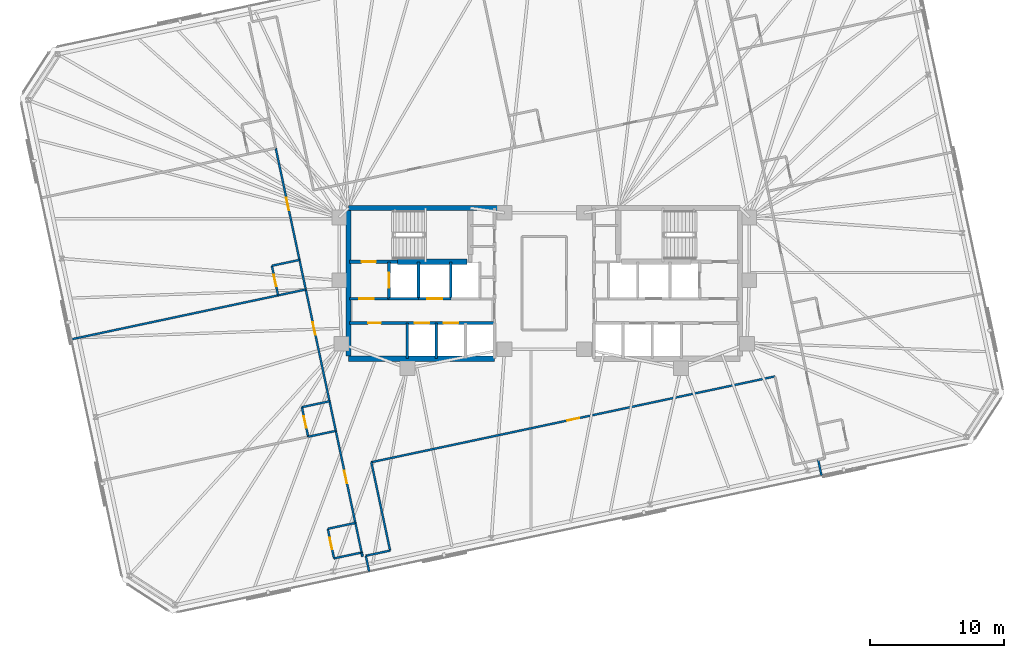
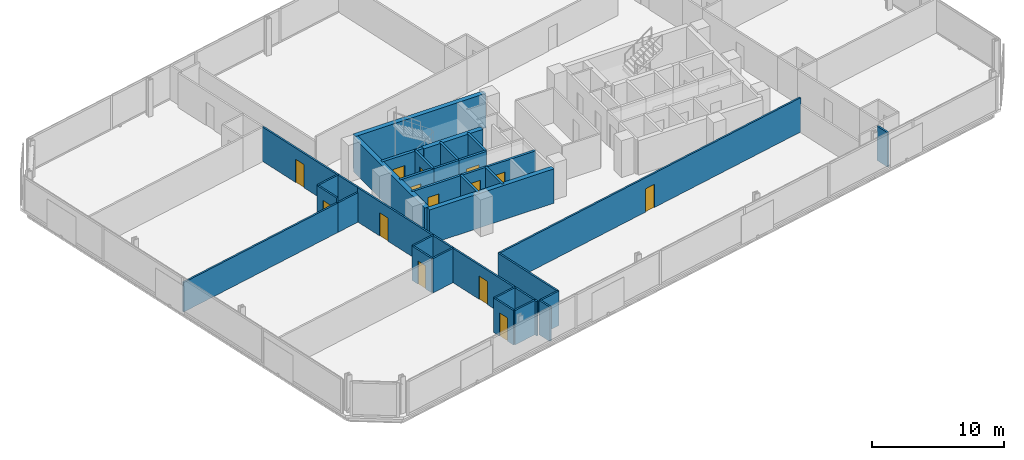
# One storey, part 14 of 19: 36 walls, 14 doors, 14 openings.
"""IFC4 building model written with IfcOpenShell, lengths in metres."""

from ifc_helpers import new_model, si_unit, direction, frame, frame_2d, origin, place, context, subcontext, project, spatial, rectangle, extrude, material, layer, layer_set, type_object, element, fill, save


model = new_model("IFC4")

# Units and contexts
model_context = context("Model", 3, precision=1e-05, world=origin(), true_north=direction((0.0, 1.0)))
body_context = subcontext(model_context, "Body", "Model", "MODEL_VIEW")
ifc_project = project(units=[si_unit("LENGTHUNIT", "METRE"), si_unit("AREAUNIT", "SQUARE_METRE"), si_unit("VOLUMEUNIT", "CUBIC_METRE"), si_unit("PLANEANGLEUNIT", "RADIAN"), si_unit("MASSUNIT", "GRAM", prefix="KILO")], contexts=[model_context])

# Site, building, storey
site_placement = place(None, origin())
site = spatial("IfcSite", under=ifc_project, at=site_placement, CompositionType="ELEMENT")
building_placement = place(site_placement, origin())
building = spatial("IfcBuilding", under=site, at=building_placement, Name="Menara Jurai Vektor", CompositionType="ELEMENT")
storey_placement = place(building_placement, frame((0.0, 0.0, 151.39990234375)))
storey = spatial("IfcBuildingStorey", under=building, at=storey_placement, Name="L38", CompositionType="ELEMENT", Elevation=151.39990234375)

# Wall, opening, door
ifc_material_1 = material(Name="Concrete C40/50", Category="concrete")
ifc_layer_1 = layer(ifc_material_1, 0.25)
ifc_layer_set_1 = layer_set([ifc_layer_1], Name="Concrete C40/50")
wall_type_1 = type_object("IfcWallType", Name="INT-WALL-CORE-250", PredefinedType="STANDARD", material=ifc_layer_set_1)
wall_1_placement = place(storey_placement, frame((-14.5, 1.60009765625, 0.0), z_axis=(0.0, 0.0, 1.0), x_axis=(1.0, 0.0, 0.0)))
wall_1 = element("IfcWall", 1, at=wall_1_placement, inside=storey, type_object=wall_type_1, Name="Interior Wall IW-250 L38", PredefinedType="STANDARD", context=body_context, shape_type="SweptSolid", body=[
    extrude(rectangle(XDim=3.60009765625, YDim=0.25, at=frame_2d((1.800048828125, 0.0))), origin(), (0.0, 0.0, 1.0), 3.175048828125),
])
opening_1_placement = place(wall_1_placement, frame((0.919921875, 0.0, 0.0)))
opening_1 = element("IfcOpeningElement", 2, at=opening_1_placement, cuts=wall_1, Name="Opening D-L38-ST1", PredefinedType="OPENING", context=body_context, shape_type="SweptSolid", body=[
    extrude(rectangle(XDim=1.050048828125, YDim=2.14990234375, at=frame_2d((0.52490234375, 1.074951171875))), frame((0.0, 0.135009765625, 0.0), z_axis=(0.0, -1.0, 0.0), x_axis=(1.0, 0.0, 0.0)), (0.0, 0.0, 1.0), 0.27001953125),
])
ifc_material_2 = material(Name="Fire-Rated Steel Door", Category="steel")
door_type_1 = type_object("IfcDoorType", Name="DR-STAIR-1050", OperationType="NOTDEFINED", PredefinedType="DOOR", material=ifc_material_2)
door_1_placement = place(opening_1_placement, origin())
door_1 = element("IfcDoor", 3, at=door_1_placement, inside=storey, type_object=door_type_1, Name="Exit Stair ST1 Door L38", OperationType="SINGLE_SWING_RIGHT", OverallHeight=2.14990234375, OverallWidth=1.050048828125, PredefinedType="DOOR", context=body_context, shape_type="SweptSolid", body=[
    extrude(rectangle(XDim=1.050048828125, YDim=2.14990234375, at=frame_2d((0.52490234375, 1.074951171875))), frame((0.0, 0.02490234375, 0.0), z_axis=(0.0, -1.0, 0.0), x_axis=(1.0, 0.0, 0.0)), (0.0, 0.0, 1.0), 0.050048828125),
])
fill(opening_1, door_1)

wall_2_placement = place(storey_placement, frame((-11.550048828125, -1.14990234375, 0.0), z_axis=(0.0, 0.0, 1.0), x_axis=(0.0, 1.0, 0.0)))
wall_2 = element("IfcWall", 4, at=wall_2_placement, inside=storey, type_object=wall_type_1, Name="Interior Wall IW-250 L38", PredefinedType="STANDARD", context=body_context, shape_type="SweptSolid", body=[
    extrude(rectangle(XDim=2.75, YDim=0.199951171875, at=frame_2d((1.375, 0.0))), origin(), (0.0, 0.0, 1.0), 3.175048828125),
])
opening_2_placement = place(wall_2_placement, frame((0.824951171875, 0.0, 0.0)))
opening_2 = element("IfcOpeningElement", 5, at=opening_2_placement, cuts=wall_2, Name="Opening LD-L38-FL1", PredefinedType="OPENING", context=body_context, shape_type="SweptSolid", body=[
    extrude(rectangle(XDim=1.10009765625, YDim=2.14990234375, at=frame_2d((0.550048828125, 1.074951171875))), frame((0.0, 0.10986328125, 0.0), z_axis=(0.0, -1.0, 0.0), x_axis=(1.0, 0.0, 0.0)), (0.0, 0.0, 1.0), 0.219970703125),
])
ifc_material_3 = material(Name="Stainless Steel Sliding Lift Landing Door", Category="steel")
door_type_2 = type_object("IfcDoorType", Name="DR-LIFT-FIRE-1100", OperationType="NOTDEFINED", PredefinedType="DOOR", material=ifc_material_3)
door_2_placement = place(opening_2_placement, origin())
door_2 = element("IfcDoor", 6, at=door_2_placement, inside=storey, type_object=door_type_2, Name="Lift Landing Door FL1 L38", OperationType="SLIDING_TO_RIGHT", OverallHeight=2.14990234375, OverallWidth=1.10009765625, PredefinedType="DOOR", context=body_context, shape_type="SweptSolid", body=[
    extrude(rectangle(XDim=1.10009765625, YDim=2.14990234375, at=frame_2d((0.550048828125, 1.074951171875))), frame((0.0, 0.02490234375, 0.0), z_axis=(0.0, -1.0, 0.0), x_axis=(1.0, 0.0, 0.0)), (0.0, 0.0, 1.0), 0.050048828125),
])
fill(opening_2, door_2)

# Wall
wall_3_placement = place(storey_placement, frame((-9.35009765625, -1.14990234375, 0.0), z_axis=(0.0, 0.0, 1.0), x_axis=(0.0, 1.0, 0.0)))
element("IfcWall", 7, at=wall_3_placement, inside=storey, type_object=wall_type_1, Name="Interior Wall IW-250 L38", PredefinedType="STANDARD", context=body_context, shape_type="SweptSolid", body=[
    extrude(rectangle(XDim=2.75, YDim=0.199951171875, at=frame_2d((1.375, 0.0))), origin(), (0.0, 0.0, 1.0), 3.175048828125),
])

# Wall, opening, door
wall_4_placement = place(storey_placement, frame((-14.5, -1.14990234375, 0.0), z_axis=(0.0, 0.0, 1.0), x_axis=(1.0, 0.0, 0.0)))
wall_4 = element("IfcWall", 8, at=wall_4_placement, inside=storey, type_object=wall_type_1, Name="Interior Wall IW-250 L38", PredefinedType="STANDARD", context=body_context, shape_type="SweptSolid", body=[
    extrude(rectangle(XDim=2.949951171875, YDim=0.199951171875, at=frame_2d((1.47509765625, 0.0))), origin(), (0.0, 0.0, 1.0), 3.175048828125),
])
opening_3_placement = place(wall_4_placement, frame((0.75, 0.0, 0.0)))
opening_3 = element("IfcOpeningElement", 9, at=opening_3_placement, cuts=wall_4, Name="Opening D-L38-FFW", PredefinedType="OPENING", context=body_context, shape_type="SweptSolid", body=[
    extrude(rectangle(XDim=1.050048828125, YDim=2.179931640625, at=frame_2d((0.52490234375, 1.08984375))), frame((0.0, 0.10986328125, 0.0), z_axis=(0.0, -1.0, 0.0), x_axis=(1.0, 0.0, 0.0)), (0.0, 0.0, 1.0), 0.219970703125),
])
ifc_material_4 = material(Name="Fire-Rated Timber Door", Category="wood")
door_type_3 = type_object("IfcDoorType", Name="DR-LOBBY-1050", OperationType="NOTDEFINED", PredefinedType="DOOR", material=ifc_material_4)
door_3_placement = place(opening_3_placement, origin())
door_3 = element("IfcDoor", 10, at=door_3_placement, inside=storey, type_object=door_type_3, Name="Fire Lift Lobby Door W L38", OperationType="SINGLE_SWING_RIGHT", OverallHeight=2.179931640625, OverallWidth=1.050048828125, PredefinedType="DOOR", context=body_context, shape_type="SweptSolid", body=[
    extrude(rectangle(XDim=1.050048828125, YDim=2.179931640625, at=frame_2d((0.52490234375, 1.08984375))), frame((0.0, 0.02490234375, 0.0), z_axis=(0.0, -1.0, 0.0), x_axis=(1.0, 0.0, 0.0)), (0.0, 0.0, 1.0), 0.050048828125),
])
fill(opening_3, door_3)

# Walls
wall_5_placement = place(storey_placement, frame((-11.550048828125, -1.14990234375, 0.0), z_axis=(0.0, 0.0, 1.0), x_axis=(1.0, 0.0, 0.0)))
element("IfcWall", 11, at=wall_5_placement, inside=storey, type_object=wall_type_1, Name="Interior Wall IW-250 L38", PredefinedType="STANDARD", context=body_context, shape_type="SweptSolid", body=[
    extrude(rectangle(XDim=2.199951171875, YDim=0.199951171875, at=frame_2d((1.10009765625, 0.0))), origin(), (0.0, 0.0, 1.0), 3.175048828125),
])
ifc_material_5 = material(Name="Gypsum Fireboard Partition", Category="gypsum")
ifc_layer_2 = layer(ifc_material_5, 0.14990234375)
ifc_layer_set_2 = layer_set([ifc_layer_2], Name="Gypsum Fireboard Partition")
wall_type_2 = type_object("IfcWallType", Name="INT-WALL-CORR-150", PredefinedType="PARTITIONING", material=ifc_layer_set_2)
wall_6_placement = place(storey_placement, frame((-13.274169921875, -20.264892578125, 0.0), z_axis=(0.0, 0.0, 1.0), x_axis=(0.978160192495, 0.207852442415, 0.0)))
element("IfcWall", 12, at=wall_6_placement, inside=storey, type_object=wall_type_2, Name="Interior Wall IW-150 L38", PredefinedType="PARTITIONING", context=body_context, shape_type="SweptSolid", body=[
    extrude(rectangle(XDim=1.849853515625, YDim=0.14990234375, at=frame_2d((0.9248046875, 0.0))), origin(), (0.0, 0.0, 1.0), 3.175048828125),
])
wall_7_placement = place(storey_placement, frame((-11.464599609375, -19.88037109375, 0.0), z_axis=(0.0, 0.0, 1.0), x_axis=(-0.207916109912, 0.978146661416, 0.0)))
element("IfcWall", 13, at=wall_7_placement, inside=storey, type_object=wall_type_2, Name="Interior Wall IW-150 L38", PredefinedType="PARTITIONING", context=body_context, shape_type="SweptSolid", body=[
    extrude(rectangle(XDim=6.72021484375, YDim=0.14990234375, at=frame_2d((3.360107421875, 0.0))), origin(), (0.0, 0.0, 1.0), 3.175048828125),
])

# Wall, opening, door
wall_8_placement = place(storey_placement, frame((-12.86181640625, -13.30712890625, 0.0), z_axis=(0.0, 0.0, 1.0), x_axis=(0.97814793387, 0.207910123527, 0.0)))
wall_8 = element("IfcWall", 14, at=wall_8_placement, inside=storey, type_object=wall_type_2, Name="Interior Wall IW-150 L38", PredefinedType="PARTITIONING", context=body_context, shape_type="SweptSolid", body=[
    extrude(rectangle(XDim=30.695068359375, YDim=0.14990234375, at=frame_2d((15.34765625, 0.0))), origin(), (0.0, 0.0, 1.0), 3.175048828125),
])
opening_4_placement = place(wall_8_placement, frame((14.887451171875, 0.0, 0.0)))
opening_4 = element("IfcOpeningElement", 15, at=opening_4_placement, cuts=wall_8, Name="Opening D38-12", PredefinedType="OPENING", context=body_context, shape_type="SweptSolid", body=[
    extrude(rectangle(XDim=0.919921875, YDim=2.14990234375, at=frame_2d((0.4599609375, 1.074951171875))), frame((0.0, 0.0849609375, 0.0), z_axis=(0.0, -1.0, 0.0), x_axis=(1.0, 0.0, 0.0)), (0.0, 0.0, 1.0), 0.169921875),
])
ifc_material_6 = material(Name="Solid Core Timber Fire Door", Category="wood")
door_type_4 = type_object("IfcDoorType", Name="DR-ENTRY-950", OperationType="NOTDEFINED", PredefinedType="DOOR", material=ifc_material_6)
door_4_placement = place(opening_4_placement, origin())
door_4 = element("IfcDoor", 16, at=door_4_placement, inside=storey, type_object=door_type_4, Name="Interior Door D38-12", OperationType="SINGLE_SWING_LEFT", OverallHeight=2.14990234375, OverallWidth=0.919921875, PredefinedType="DOOR", context=body_context, shape_type="SweptSolid", body=[
    extrude(rectangle(XDim=0.919921875, YDim=2.14990234375, at=frame_2d((0.4599609375, 1.074951171875))), frame((0.0, 0.02490234375, 0.0), z_axis=(0.0, -1.0, 0.0), x_axis=(1.0, 0.0, 0.0)), (0.0, 0.0, 1.0), 0.050048828125),
])
fill(opening_4, door_4)

# Wall
wall_9_placement = place(storey_placement, frame((-13.518798828125, -20.31689453125, 0.0), z_axis=(0.0, 0.0, 1.0), x_axis=(-0.207527808066, 0.978229118806, 0.0)))
element("IfcWall", 17, at=wall_9_placement, inside=storey, type_object=wall_type_2, Name="Interior Wall IW-150 L38", PredefinedType="PARTITIONING", context=body_context, shape_type="SweptSolid", body=[
    extrude(rectangle(XDim=0.300048828125, YDim=0.14990234375, at=frame_2d((0.14990234375, 0.0))), origin(), (0.0, 0.0, 1.0), 3.175048828125),
])

# Wall, opening, door
wall_10_placement = place(storey_placement, frame((-14.048828125, -17.822509765625, 0.0), z_axis=(0.0, 0.0, 1.0), x_axis=(-0.207940096132, 0.978141562567, 0.0)))
wall_10 = element("IfcWall", 18, at=wall_10_placement, inside=storey, type_object=wall_type_2, Name="Interior Wall IW-150 L38", PredefinedType="PARTITIONING", context=body_context, shape_type="SweptSolid", body=[
    extrude(rectangle(XDim=7.0, YDim=0.14990234375, at=frame_2d((3.5, 0.0))), origin(), (0.0, 0.0, 1.0), 3.175048828125),
])
opening_5_placement = place(wall_10_placement, frame((3.02490234375, 0.0, 0.0)))
opening_5 = element("IfcOpeningElement", 19, at=opening_5_placement, cuts=wall_10, Name="Opening D38-13", PredefinedType="OPENING", context=body_context, shape_type="SweptSolid", body=[
    extrude(rectangle(XDim=0.949951171875, YDim=2.14990234375, at=frame_2d((0.47509765625, 1.074951171875))), frame((0.0, 0.0849609375, 0.0), z_axis=(0.0, -1.0, 0.0), x_axis=(1.0, 0.0, 0.0)), (0.0, 0.0, 1.0), 0.169921875),
])
door_5_placement = place(opening_5_placement, origin())
door_5 = element("IfcDoor", 20, at=door_5_placement, inside=storey, type_object=door_type_4, Name="Interior Door D38-13", OperationType="SINGLE_SWING_RIGHT", OverallHeight=2.14990234375, OverallWidth=0.949951171875, PredefinedType="DOOR", context=body_context, shape_type="SweptSolid", body=[
    extrude(rectangle(XDim=0.949951171875, YDim=2.14990234375, at=frame_2d((0.47509765625, 1.074951171875))), frame((0.0, 0.02490234375, 0.0), z_axis=(0.0, -1.0, 0.0), x_axis=(1.0, 0.0, 0.0)), (0.0, 0.0, 1.0), 0.050048828125),
])
fill(opening_5, door_5)

# Wall
wall_11_placement = place(storey_placement, frame((-13.5810546875, -20.0234375, 0.0), z_axis=(0.0, 0.0, 1.0), x_axis=(-0.207891197838, 0.978151956427, 0.0)))
element("IfcWall", 21, at=wall_11_placement, inside=storey, type_object=wall_type_2, Name="Interior Wall IW-150 L38", PredefinedType="PARTITIONING", context=body_context, shape_type="SweptSolid", body=[
    extrude(rectangle(XDim=2.25, YDim=0.14990234375, at=frame_2d((1.125, 0.0))), origin(), (0.0, 0.0, 1.0), 3.175048828125),
])

# Wall, opening, door
wall_12_placement = place(storey_placement, frame((-15.97216796875, -8.774658203125, 0.0), z_axis=(0.0, 0.0, 1.0), x_axis=(-0.207894825434, 0.97815118543, 0.0)))
wall_12 = element("IfcWall", 22, at=wall_12_placement, inside=storey, type_object=wall_type_2, Name="Interior Wall IW-150 L38", PredefinedType="PARTITIONING", context=body_context, shape_type="SweptSolid", body=[
    extrude(rectangle(XDim=8.5, YDim=0.14990234375, at=frame_2d((4.25, 0.0))), origin(), (0.0, 0.0, 1.0), 3.175048828125),
])
opening_6_placement = place(wall_12_placement, frame((5.050048828125, 0.0, 0.0)))
opening_6 = element("IfcOpeningElement", 23, at=opening_6_placement, cuts=wall_12, Name="Opening D38-15", PredefinedType="OPENING", context=body_context, shape_type="SweptSolid", body=[
    extrude(rectangle(XDim=0.949951171875, YDim=2.14990234375, at=frame_2d((0.47509765625, 1.074951171875))), frame((0.0, 0.0849609375, 0.0), z_axis=(0.0, -1.0, 0.0), x_axis=(1.0, 0.0, 0.0)), (0.0, 0.0, 1.0), 0.169921875),
])
door_6_placement = place(opening_6_placement, origin())
door_6 = element("IfcDoor", 24, at=door_6_placement, inside=storey, type_object=door_type_4, Name="Interior Door D38-15", OperationType="SINGLE_SWING_RIGHT", OverallHeight=2.14990234375, OverallWidth=0.949951171875, PredefinedType="DOOR", context=body_context, shape_type="SweptSolid", body=[
    extrude(rectangle(XDim=0.949951171875, YDim=2.14990234375, at=frame_2d((0.47509765625, 1.074951171875))), frame((0.0, 0.02490234375, 0.0), z_axis=(0.0, -1.0, 0.0), x_axis=(1.0, 0.0, 0.0)), (0.0, 0.0, 1.0), 0.050048828125),
])
fill(opening_6, door_6)

# Wall
wall_13_placement = place(storey_placement, frame((-15.50439453125, -10.9755859375, 0.0), z_axis=(0.0, 0.0, 1.0), x_axis=(-0.207891197838, 0.978151956427, 0.0)))
element("IfcWall", 25, at=wall_13_placement, inside=storey, type_object=wall_type_2, Name="Interior Wall IW-150 L38", PredefinedType="PARTITIONING", context=body_context, shape_type="SweptSolid", body=[
    extrude(rectangle(XDim=2.25, YDim=0.14990234375, at=frame_2d((1.125, 0.0))), origin(), (0.0, 0.0, 1.0), 3.175048828125),
])

# Wall, opening, door
wall_14_placement = place(storey_placement, frame((-18.20703125, 1.740478515625, 0.0), z_axis=(0.0, 0.0, 1.0), x_axis=(-0.207922306475, 0.978145344246, 0.0)))
wall_14 = element("IfcWall", 26, at=wall_14_placement, inside=storey, type_object=wall_type_2, Name="Interior Wall IW-150 L38", PredefinedType="PARTITIONING", context=body_context, shape_type="SweptSolid", body=[
    extrude(rectangle(XDim=8.5, YDim=0.14990234375, at=frame_2d((4.25, 0.0))), origin(), (0.0, 0.0, 1.0), 3.175048828125),
])
opening_7_placement = place(wall_14_placement, frame((3.77490234375, 0.0, 0.0)))
opening_7 = element("IfcOpeningElement", 27, at=opening_7_placement, cuts=wall_14, Name="Opening D38-17", PredefinedType="OPENING", context=body_context, shape_type="SweptSolid", body=[
    extrude(rectangle(XDim=0.949951171875, YDim=2.14990234375, at=frame_2d((0.47509765625, 1.074951171875))), frame((0.0, 0.0849609375, 0.0), z_axis=(0.0, -1.0, 0.0), x_axis=(1.0, 0.0, 0.0)), (0.0, 0.0, 1.0), 0.169921875),
])
door_7_placement = place(opening_7_placement, origin())
door_7 = element("IfcDoor", 28, at=door_7_placement, inside=storey, type_object=door_type_4, Name="Interior Door D38-17", OperationType="SINGLE_SWING_RIGHT", OverallHeight=2.14990234375, OverallWidth=0.949951171875, PredefinedType="DOOR", context=body_context, shape_type="SweptSolid", body=[
    extrude(rectangle(XDim=0.949951171875, YDim=2.14990234375, at=frame_2d((0.47509765625, 1.074951171875))), frame((0.0, 0.02490234375, 0.0), z_axis=(0.0, -1.0, 0.0), x_axis=(1.0, 0.0, 0.0)), (0.0, 0.0, 1.0), 0.050048828125),
])
fill(opening_7, door_7)

# Walls
wall_15_placement = place(storey_placement, frame((-17.7392578125, -0.46044921875, 0.0), z_axis=(0.0, 0.0, 1.0), x_axis=(-0.207891197838, 0.978151956427, 0.0)))
element("IfcWall", 29, at=wall_15_placement, inside=storey, type_object=wall_type_2, Name="Interior Wall IW-150 L38", PredefinedType="PARTITIONING", context=body_context, shape_type="SweptSolid", body=[
    extrude(rectangle(XDim=2.25, YDim=0.14990234375, at=frame_2d((1.125, 0.0))), origin(), (0.0, 0.0, 1.0), 3.175048828125),
])
for number, where, z_axis, x_axis, name in (
    (30, (-13.024658203125, -21.438720703125, 0.0), (0.0, 0.0, 1.0), (-0.207917150959, 0.978146440129, 0.0), "Interior Wall IW-150 L38"),
    (31, (20.61865234375, -14.28759765625, 0.0), (0.0, 0.0, 1.0), (-0.207917150959, 0.978146440129, 0.0), "Interior Wall IW-150 L38"),
):
    element("IfcWall", number, at=place(storey_placement, frame(where, z_axis=z_axis, x_axis=x_axis)), inside=storey, type_object=wall_type_2, Name=name, PredefinedType="PARTITIONING", context=body_context, shape_type="SweptSolid", body=[
        extrude(rectangle(XDim=1.199951171875, YDim=0.14990234375, at=frame_2d((0.60009765625, 0.0))), origin(), (0.0, 0.0, 1.0), 3.175048828125),
    ])

# Wall, opening, door
wall_16_placement = place(storey_placement, frame((-15.63525390625, -20.4599609375, 0.0), z_axis=(0.0, 0.0, 1.0), x_axis=(-0.207913264065, 0.978147266328, 0.0)))
wall_16 = element("IfcWall", 32, at=wall_16_placement, inside=storey, type_object=wall_type_2, Name="Interior Wall IW-150 L38", PredefinedType="PARTITIONING", context=body_context, shape_type="SweptSolid", body=[
    extrude(rectangle(XDim=2.249755859375, YDim=0.14990234375, at=frame_2d((1.125, 0.0))), origin(), (0.0, 0.0, 1.0), 3.175048828125),
])
opening_8_placement = place(wall_16_placement, frame((0.68505859375, 0.0, 0.0)))
opening_8 = element("IfcOpeningElement", 33, at=opening_8_placement, cuts=wall_16, Name="Opening D38-14", PredefinedType="OPENING", context=body_context, shape_type="SweptSolid", body=[
    extrude(rectangle(XDim=0.8798828125, YDim=2.14990234375, at=frame_2d((0.43994140625, 1.074951171875))), frame((0.0, 0.0849609375, 0.0), z_axis=(0.0, -1.0, 0.0), x_axis=(1.0, 0.0, 0.0)), (0.0, 0.0, 1.0), 0.169921875),
])
ifc_material_7 = material(Name="Moisture-Resistant Timber Door", Category="wood")
door_type_5 = type_object("IfcDoorType", Name="DR-BATH-880", OperationType="NOTDEFINED", PredefinedType="DOOR", material=ifc_material_7)
door_8_placement = place(opening_8_placement, origin())
door_8 = element("IfcDoor", 34, at=door_8_placement, inside=storey, type_object=door_type_5, Name="Interior Door D38-14", OperationType="SINGLE_SWING_LEFT", OverallHeight=2.14990234375, OverallWidth=0.8798828125, PredefinedType="DOOR", context=body_context, shape_type="SweptSolid", body=[
    extrude(rectangle(XDim=0.8798828125, YDim=2.14990234375, at=frame_2d((0.43994140625, 1.074951171875))), frame((0.0, 0.02490234375, 0.0), z_axis=(0.0, -1.0, 0.0), x_axis=(1.0, 0.0, 0.0)), (0.0, 0.0, 1.0), 0.050048828125),
])
fill(opening_8, door_8)

# Walls
for number, where, z_axis, x_axis, name in (
    (35, (-15.63525390625, -20.4599609375, 0.0), (0.0, 0.0, 1.0), (0.97815826, 0.207861536591, 0.0), "Interior Wall IW-150 L38"),
    (36, (-16.10302734375, -18.25927734375, 0.0), (0.0, 0.0, 1.0), (0.978134617382, 0.207972763311, 0.0), "Interior Wall IW-150 L38"),
):
    element("IfcWall", number, at=place(storey_placement, frame(where, z_axis=z_axis, x_axis=x_axis)), inside=storey, type_object=wall_type_2, Name=name, PredefinedType="PARTITIONING", context=body_context, shape_type="SweptSolid", body=[
        extrude(rectangle(XDim=2.10009765625, YDim=0.14990234375, at=frame_2d((1.050048828125, 0.0))), origin(), (0.0, 0.0, 1.0), 3.175048828125),
    ])
wall_17_placement = place(storey_placement, frame((-17.558349609375, -11.412109375, 0.0), z_axis=(0.0, 0.0, 1.0), x_axis=(0.978153236239, 0.207885176084, 0.0)))
element("IfcWall", 37, at=wall_17_placement, inside=storey, type_object=wall_type_2, Name="Interior Wall IW-150 L38", PredefinedType="PARTITIONING", context=body_context, shape_type="SweptSolid", body=[
    extrude(rectangle(XDim=2.099853515625, YDim=0.14990234375, at=frame_2d((1.0498046875, 0.0))), origin(), (0.0, 0.0, 1.0), 3.175048828125),
])

# Wall, opening, door
wall_18_placement = place(storey_placement, frame((-17.558349609375, -11.412109375, 0.0), z_axis=(0.0, 0.0, 1.0), x_axis=(-0.207891197838, 0.978151956427, 0.0)))
wall_18 = element("IfcWall", 38, at=wall_18_placement, inside=storey, type_object=wall_type_2, Name="Interior Wall IW-150 L38", PredefinedType="PARTITIONING", context=body_context, shape_type="SweptSolid", body=[
    extrude(rectangle(XDim=2.25, YDim=0.14990234375, at=frame_2d((1.125, 0.0))), origin(), (0.0, 0.0, 1.0), 3.175048828125),
])
opening_9_placement = place(wall_18_placement, frame((0.68505859375, 0.0, 0.0)))
opening_9 = element("IfcOpeningElement", 39, at=opening_9_placement, cuts=wall_18, Name="Opening D38-16", PredefinedType="OPENING", context=body_context, shape_type="SweptSolid", body=[
    extrude(rectangle(XDim=0.8798828125, YDim=2.14990234375, at=frame_2d((0.43994140625, 1.074951171875))), frame((0.0, 0.0849609375, 0.0), z_axis=(0.0, -1.0, 0.0), x_axis=(1.0, 0.0, 0.0)), (0.0, 0.0, 1.0), 0.169921875),
])
door_9_placement = place(opening_9_placement, origin())
door_9 = element("IfcDoor", 40, at=door_9_placement, inside=storey, type_object=door_type_5, Name="Interior Door D38-16", OperationType="SINGLE_SWING_LEFT", OverallHeight=2.14990234375, OverallWidth=0.8798828125, PredefinedType="DOOR", context=body_context, shape_type="SweptSolid", body=[
    extrude(rectangle(XDim=0.8798828125, YDim=2.14990234375, at=frame_2d((0.43994140625, 1.074951171875))), frame((0.0, 0.02490234375, 0.0), z_axis=(0.0, -1.0, 0.0), x_axis=(1.0, 0.0, 0.0)), (0.0, 0.0, 1.0), 0.050048828125),
])
fill(opening_9, door_9)

# Wall
wall_19_placement = place(storey_placement, frame((-18.026123046875, -9.211181640625, 0.0), z_axis=(0.0, 0.0, 1.0), x_axis=(0.978153236239, 0.207885176084, 0.0)))
element("IfcWall", 41, at=wall_19_placement, inside=storey, type_object=wall_type_2, Name="Interior Wall IW-150 L38", PredefinedType="PARTITIONING", context=body_context, shape_type="SweptSolid", body=[
    extrude(rectangle(XDim=2.099853515625, YDim=0.14990234375, at=frame_2d((1.0498046875, 0.0))), origin(), (0.0, 0.0, 1.0), 3.175048828125),
])

# Wall, opening, door
wall_20_placement = place(storey_placement, frame((-19.79345703125, -0.897216796875, 0.0), z_axis=(0.0, 0.0, 1.0), x_axis=(-0.207891197838, 0.978151956427, 0.0)))
wall_20 = element("IfcWall", 42, at=wall_20_placement, inside=storey, type_object=wall_type_2, Name="Interior Wall IW-150 L38", PredefinedType="PARTITIONING", context=body_context, shape_type="SweptSolid", body=[
    extrude(rectangle(XDim=2.25, YDim=0.14990234375, at=frame_2d((1.125, 0.0))), origin(), (0.0, 0.0, 1.0), 3.175048828125),
])
opening_10_placement = place(wall_20_placement, frame((0.68505859375, 0.0, 0.0)))
opening_10 = element("IfcOpeningElement", 43, at=opening_10_placement, cuts=wall_20, Name="Opening D38-18", PredefinedType="OPENING", context=body_context, shape_type="SweptSolid", body=[
    extrude(rectangle(XDim=0.8798828125, YDim=2.14990234375, at=frame_2d((0.43994140625, 1.074951171875))), frame((0.0, 0.0849609375, 0.0), z_axis=(0.0, -1.0, 0.0), x_axis=(1.0, 0.0, 0.0)), (0.0, 0.0, 1.0), 0.169921875),
])
door_10_placement = place(opening_10_placement, origin())
door_10 = element("IfcDoor", 44, at=door_10_placement, inside=storey, type_object=door_type_5, Name="Interior Door D38-18", OperationType="SINGLE_SWING_LEFT", OverallHeight=2.14990234375, OverallWidth=0.8798828125, PredefinedType="DOOR", context=body_context, shape_type="SweptSolid", body=[
    extrude(rectangle(XDim=0.8798828125, YDim=2.14990234375, at=frame_2d((0.43994140625, 1.074951171875))), frame((0.0, 0.02490234375, 0.0), z_axis=(0.0, -1.0, 0.0), x_axis=(1.0, 0.0, 0.0)), (0.0, 0.0, 1.0), 0.050048828125),
])
fill(opening_10, door_10)

# Walls
wall_21_placement = place(storey_placement, frame((-20.26123046875, 1.3037109375, 0.0), z_axis=(0.0, 0.0, 1.0), x_axis=(0.978134617382, 0.207972763311, 0.0)))
element("IfcWall", 45, at=wall_21_placement, inside=storey, type_object=wall_type_2, Name="Interior Wall IW-150 L38", PredefinedType="PARTITIONING", context=body_context, shape_type="SweptSolid", body=[
    extrude(rectangle(XDim=2.10009765625, YDim=0.14990234375, at=frame_2d((1.050048828125, 0.0))), origin(), (0.0, 0.0, 1.0), 3.175048828125),
])
ifc_layer_3 = layer(ifc_material_5, 0.14990234375)
ifc_layer_set_3 = layer_set([ifc_layer_3], Name="Gypsum Fireboard Partition")
wall_type_3 = type_object("IfcWallType", Name="INT-WALL-CORR-150-H1", PredefinedType="PARTITIONING", material=ifc_layer_set_3)
wall_22_placement = place(storey_placement, frame((-35.16796875, -4.1650390625, 0.0), z_axis=(0.0, 0.0, 1.0), x_axis=(0.978149296727, 0.207903711638, 0.0)))
element("IfcWall", 46, at=wall_22_placement, inside=storey, type_object=wall_type_3, Name="Interior Wall IW-150 L38", PredefinedType="PARTITIONING", context=body_context, shape_type="SweptSolid", body=[
    extrude(rectangle(XDim=15.718017578125, YDim=0.14990234375, at=frame_2d((7.85888671875, 0.0))), origin(), (0.0, 0.0, 1.0), 2.72509765625),
])
wall_23_placement = place(storey_placement, frame((-19.79345703125, -0.897216796875, 0.0), z_axis=(0.0, 0.0, 1.0), x_axis=(0.978134617382, 0.207972763311, 0.0)))
element("IfcWall", 47, at=wall_23_placement, inside=storey, type_object=wall_type_3, Name="Interior Wall IW-150 L38", PredefinedType="PARTITIONING", context=body_context, shape_type="SweptSolid", body=[
    extrude(rectangle(XDim=2.10009765625, YDim=0.14990234375, at=frame_2d((1.050048828125, 0.0))), origin(), (0.0, 0.0, 1.0), 2.72509765625),
])
ifc_layer_4 = layer(ifc_material_1, 0.199951171875)
ifc_layer_set_4 = layer_set([ifc_layer_4], Name="Concrete C40/50")
wall_type_4 = type_object("IfcWallType", Name="INT-WALL-SHAFT-200", PredefinedType="STANDARD", material=ifc_layer_set_4)
wall_24_placement = place(storey_placement, frame((-6.949951171875, -1.14990234375, 0.0), z_axis=(0.0, 0.0, 1.0), x_axis=(0.0, 1.0, 0.0)))
element("IfcWall", 48, at=wall_24_placement, inside=storey, type_object=wall_type_4, Name="Interior Wall IW-200 L38", PredefinedType="STANDARD", context=body_context, shape_type="SweptSolid", body=[
    extrude(rectangle(XDim=2.75, YDim=0.199951171875, at=frame_2d((1.375, 0.0))), origin(), (0.0, 0.0, 1.0), 3.175048828125),
])

# Wall, opening, door
wall_25_placement = place(storey_placement, frame((-9.35009765625, -1.14990234375, 0.0), z_axis=(0.0, 0.0, 1.0), x_axis=(1.0, 0.0, 0.0)))
wall_25 = element("IfcWall", 49, at=wall_25_placement, inside=storey, type_object=wall_type_4, Name="Interior Wall IW-200 L38", PredefinedType="STANDARD", context=body_context, shape_type="SweptSolid", body=[
    extrude(rectangle(XDim=2.400146484375, YDim=0.199951171875, at=frame_2d((1.2001953125, 0.0))), origin(), (0.0, 0.0, 1.0), 3.175048828125),
])
opening_11_placement = place(wall_25_placement, frame((0.64990234375, 0.0, 0.0)))
opening_11 = element("IfcOpeningElement", 50, at=opening_11_placement, cuts=wall_25, Name="Opening LD-L38-SVL1", PredefinedType="OPENING", context=body_context, shape_type="SweptSolid", body=[
    extrude(rectangle(XDim=1.10009765625, YDim=2.14990234375, at=frame_2d((0.550048828125, 1.074951171875))), frame((0.0, 0.10986328125, 0.0), z_axis=(0.0, -1.0, 0.0), x_axis=(1.0, 0.0, 0.0)), (0.0, 0.0, 1.0), 0.219970703125),
])
ifc_material_8 = material(Name="Anodised Stainless Sliding Lift Landing Door", Category="steel")
door_type_6 = type_object("IfcDoorType", Name="DR-LIFT-PASS-1100", OperationType="NOTDEFINED", PredefinedType="DOOR", material=ifc_material_8)
door_11_placement = place(opening_11_placement, origin())
door_11 = element("IfcDoor", 51, at=door_11_placement, inside=storey, type_object=door_type_6, Name="Lift Landing Door SVL1 L38", OperationType="SLIDING_TO_RIGHT", OverallHeight=2.14990234375, OverallWidth=1.10009765625, PredefinedType="DOOR", context=body_context, shape_type="SweptSolid", body=[
    extrude(rectangle(XDim=1.10009765625, YDim=2.14990234375, at=frame_2d((0.550048828125, 1.074951171875))), frame((0.0, 0.02490234375, 0.0), z_axis=(0.0, -1.0, 0.0), x_axis=(1.0, 0.0, 0.0)), (0.0, 0.0, 1.0), 0.050048828125),
])
fill(opening_11, door_11)

# Wall, openings, doors
wall_26_placement = place(storey_placement, frame((-14.5, -2.949951171875, 0.0), z_axis=(0.0, 0.0, 1.0), x_axis=(1.0, 0.0, 0.0)))
wall_26 = element("IfcWall", 52, at=wall_26_placement, inside=storey, type_object=wall_type_4, Name="Interior Wall IW-200 L38", PredefinedType="STANDARD", context=body_context, shape_type="SweptSolid", body=[
    extrude(rectangle(XDim=10.800048828125, YDim=0.199951171875, at=frame_2d((5.39990234375, 0.0))), origin(), (0.0, 0.0, 1.0), 3.175048828125),
])
opening_12_placement = place(wall_26_placement, frame((4.85009765625, 0.0, 0.0)))
opening_12 = element("IfcOpeningElement", 53, at=opening_12_placement, cuts=wall_26, Name="Opening LD-L38-PM1", PredefinedType="OPENING", context=body_context, shape_type="SweptSolid", body=[
    extrude(rectangle(XDim=1.10009765625, YDim=2.14990234375, at=frame_2d((0.550048828125, 1.074951171875))), frame((0.0, 0.10986328125, 0.0), z_axis=(0.0, -1.0, 0.0), x_axis=(1.0, 0.0, 0.0)), (0.0, 0.0, 1.0), 0.219970703125),
])
opening_13_placement = place(wall_26_placement, frame((7.010009765625, 0.0, 0.0)))
opening_13 = element("IfcOpeningElement", 54, at=opening_13_placement, cuts=wall_26, Name="Opening LD-L38-PM2", PredefinedType="OPENING", context=body_context, shape_type="SweptSolid", body=[
    extrude(rectangle(XDim=1.10009765625, YDim=2.14990234375, at=frame_2d((0.550048828125, 1.074951171875))), frame((0.0, 0.10986328125, 0.0), z_axis=(0.0, -1.0, 0.0), x_axis=(1.0, 0.0, 0.0)), (0.0, 0.0, 1.0), 0.219970703125),
])
opening_14_placement = place(wall_26_placement, frame((1.39990234375, 0.0, 0.0)))
opening_14 = element("IfcOpeningElement", 55, at=opening_14_placement, cuts=wall_26, Name="Opening D38-01", PredefinedType="OPENING", context=body_context, shape_type="SweptSolid", body=[
    extrude(rectangle(XDim=0.949951171875, YDim=2.14990234375, at=frame_2d((0.47509765625, 1.074951171875))), frame((0.0, 0.10986328125, 0.0), z_axis=(0.0, -1.0, 0.0), x_axis=(1.0, 0.0, 0.0)), (0.0, 0.0, 1.0), 0.219970703125),
])
door_12_placement = place(opening_14_placement, origin())
door_12 = element("IfcDoor", 56, at=door_12_placement, inside=storey, type_object=door_type_4, Name="Interior Door D38-01", OperationType="SINGLE_SWING_LEFT", OverallHeight=2.14990234375, OverallWidth=0.949951171875, PredefinedType="DOOR", context=body_context, shape_type="SweptSolid", body=[
    extrude(rectangle(XDim=0.949951171875, YDim=2.14990234375, at=frame_2d((0.47509765625, 1.074951171875))), frame((0.0, 0.02490234375, 0.0), z_axis=(0.0, -1.0, 0.0), x_axis=(1.0, 0.0, 0.0)), (0.0, 0.0, 1.0), 0.050048828125),
])
fill(opening_14, door_12)
door_13_placement = place(opening_12_placement, origin())
door_13 = element("IfcDoor", 57, at=door_13_placement, inside=storey, type_object=door_type_6, Name="Lift Landing Door PM1 L38", OperationType="SLIDING_TO_LEFT", OverallHeight=2.14990234375, OverallWidth=1.10009765625, PredefinedType="DOOR", context=body_context, shape_type="SweptSolid", body=[
    extrude(rectangle(XDim=1.10009765625, YDim=2.14990234375, at=frame_2d((0.550048828125, 1.074951171875))), frame((0.0, 0.02490234375, 0.0), z_axis=(0.0, -1.0, 0.0), x_axis=(1.0, 0.0, 0.0)), (0.0, 0.0, 1.0), 0.050048828125),
])
fill(opening_12, door_13)
door_14_placement = place(opening_13_placement, origin())
door_14 = element("IfcDoor", 58, at=door_14_placement, inside=storey, type_object=door_type_6, Name="Lift Landing Door PM2 L38", OperationType="SLIDING_TO_LEFT", OverallHeight=2.14990234375, OverallWidth=1.10009765625, PredefinedType="DOOR", context=body_context, shape_type="SweptSolid", body=[
    extrude(rectangle(XDim=1.10009765625, YDim=2.14990234375, at=frame_2d((0.550048828125, 1.074951171875))), frame((0.0, 0.02490234375, 0.0), z_axis=(0.0, -1.0, 0.0), x_axis=(1.0, 0.0, 0.0)), (0.0, 0.0, 1.0), 0.050048828125),
])
fill(opening_13, door_14)

# Walls
for number, where, z_axis, x_axis, name in (
    (59, (-10.179931640625, -5.60009765625, 0.0), (0.0, 0.0, 1.0), (0.0, 1.0, 0.0), "Interior Wall IW-200 L38"),
    (60, (-8.02001953125, -5.60009765625, 0.0), (0.0, 0.0, 1.0), (0.0, 1.0, 0.0), "Interior Wall IW-200 L38"),
):
    element("IfcWall", number, at=place(storey_placement, frame(where, z_axis=z_axis, x_axis=x_axis)), inside=storey, type_object=wall_type_4, Name=name, PredefinedType="STANDARD", context=body_context, shape_type="SweptSolid", body=[
        extrude(rectangle(XDim=2.650146484375, YDim=0.179931640625, at=frame_2d((1.3251953125, 0.0))), origin(), (0.0, 0.0, 1.0), 3.175048828125),
    ])
ifc_material_9 = material(Name="Concrete C50/60", Category="concrete")
ifc_layer_5 = layer(ifc_material_9, 0.39990234375)
ifc_layer_set_5 = layer_set([ifc_layer_5], Name="Concrete C50/60")
wall_type_5 = type_object("IfcWallType", Name="STR-WALL-CORE400", PredefinedType="SHEAR", material=ifc_layer_set_5)
wall_27_placement = place(storey_placement, frame((-14.56005859375, 5.60009765625, 0.0), z_axis=(0.0, 0.0, 1.0), x_axis=(1.0, 0.0, 0.0)))
element("IfcWall", 61, at=wall_27_placement, inside=storey, type_object=wall_type_5, Name="Core Shear Wall CW-W-N L38", PredefinedType="SHEAR", context=body_context, shape_type="SweptSolid", body=[
    extrude(rectangle(XDim=11.41015625, YDim=0.39990234375, at=frame_2d((5.705078125, 0.0))), origin(), (0.0, 0.0, 1.0), 3.175048828125),
])
wall_28_placement = place(storey_placement, frame((-14.56005859375, -5.60009765625, 0.0), z_axis=(0.0, 0.0, 1.0), x_axis=(1.0, 0.0, 0.0)))
element("IfcWall", 62, at=wall_28_placement, inside=storey, type_object=wall_type_5, Name="Core Shear Wall CW-W-S L38", PredefinedType="SHEAR", context=body_context, shape_type="SweptSolid", body=[
    extrude(rectangle(XDim=10.860107421875, YDim=0.39990234375, at=frame_2d((5.43017578125, 0.0))), origin(), (0.0, 0.0, 1.0), 3.175048828125),
])
wall_29_placement = place(storey_placement, frame((-14.56005859375, -5.39990234375, 0.0), z_axis=(0.0, 0.0, 1.0), x_axis=(0.0, 1.0, 0.0)))
element("IfcWall", 63, at=wall_29_placement, inside=storey, type_object=wall_type_5, Name="Core Shear Wall CW-W-W L38", PredefinedType="SHEAR", context=body_context, shape_type="SweptSolid", body=[
    extrude(rectangle(XDim=10.7998046875, YDim=0.39990234375, at=frame_2d((5.39990234375, 0.0))), origin(), (0.0, 0.0, 1.0), 3.175048828125),
])
wall_30_placement = place(storey_placement, frame((-10.89990234375, 1.60009765625, 0.0), z_axis=(0.0, 0.0, 1.0), x_axis=(1.0, 0.0, 0.0)))
element("IfcWall", 64, at=wall_30_placement, inside=storey, type_object=wall_type_5, Name="Core Shear Wall CW-W-STS L38", PredefinedType="SHEAR", context=body_context, shape_type="SweptSolid", body=[
    extrude(rectangle(XDim=5.14990234375, YDim=0.39990234375, at=frame_2d((2.574951171875, 0.0))), origin(), (0.0, 0.0, 1.0), 3.175048828125),
])

save(model, "model.ifc")
